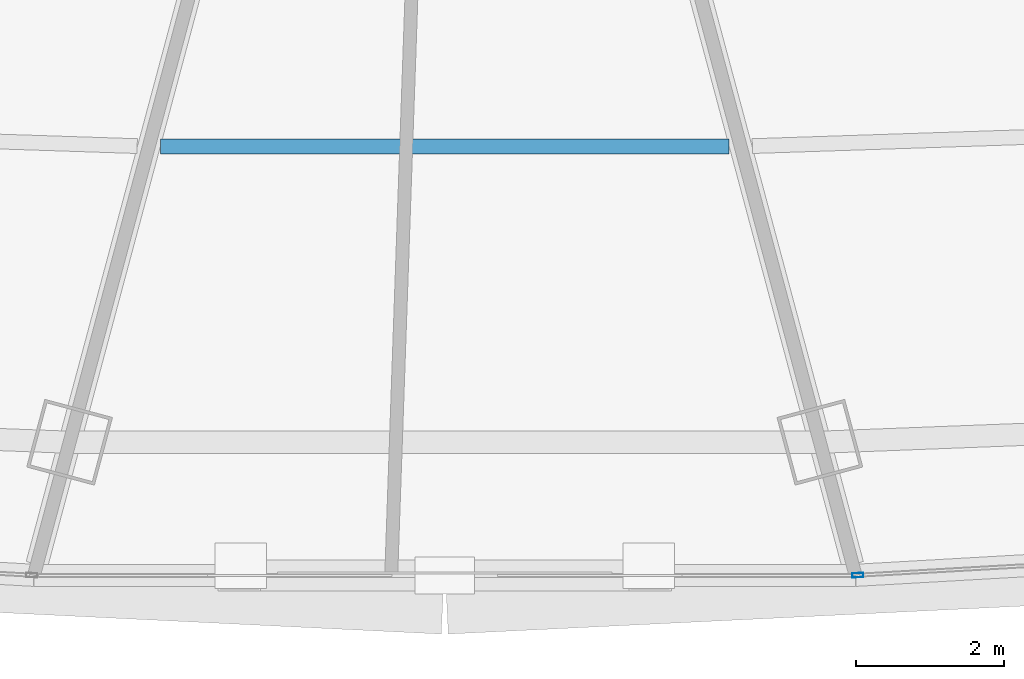
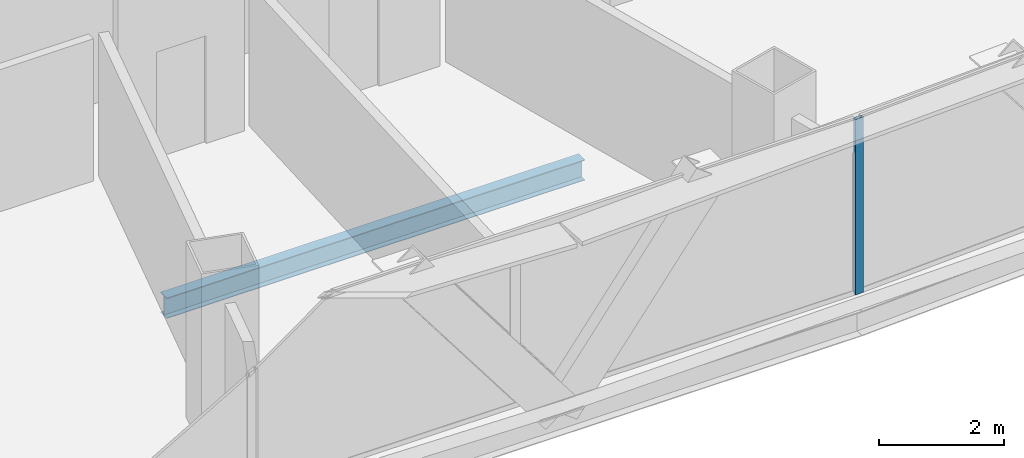
# One storey, part 12 of 42: 1 beam, 1 member, 1 element without a shape of its own.
"""IFC4 building model written with IfcOpenShell, lengths in metres."""

from ifc_helpers import new_model, si_unit, direction, frame, origin, origin_2d, place, context, subcontext, project, spatial, hollow_rectangle, i_section, extrude, source, transform, mapped, material, layer, layer_set, material_profile, profile_set, type_object, element, aggregate, save


model = new_model("IFC4")

# Units and contexts
model_context = context("Model", 3, precision=1e-05, world=origin(), true_north=direction((0.0, 1.0)))
body_context = subcontext(model_context, "Body", "Model", "MODEL_VIEW")
ifc_project = project(units=[si_unit("LENGTHUNIT", "METRE"), si_unit("AREAUNIT", "SQUARE_METRE"), si_unit("VOLUMEUNIT", "CUBIC_METRE"), si_unit("PLANEANGLEUNIT", "RADIAN"), si_unit("MASSUNIT", "GRAM", prefix="KILO"), si_unit("THERMODYNAMICTEMPERATUREUNIT", "KELVIN"), si_unit("POWERUNIT", "WATT")], contexts=[model_context])

# Site, building, storey
site_placement = place(None, origin())
site = spatial("IfcSite", under=ifc_project, at=site_placement, CompositionType="ELEMENT")
building_placement = place(site_placement, origin())
building = spatial("IfcBuilding", under=site, at=building_placement, Name="Yunzhuo Pagoda Commons", CompositionType="ELEMENT")
storey_placement = place(building_placement, frame((0.0, 0.0, 137.18994140625)))
storey = spatial("IfcBuildingStorey", under=building, at=storey_placement, Name="L34", CompositionType="ELEMENT", Elevation=137.18994140625)

# Beam
ifc_material_1 = material(Name="Structural steel Q355B", Category="steel")
ifc_material_profile_1 = material_profile(ifc_material_1, i_section(OverallWidth=0.199951171875, OverallDepth=0.39990234375, WebThickness=0.008056640625, FlangeThickness=0.012939453125, at=origin_2d()), Name="Structural steel Q355B")
ifc_profile_set_1 = profile_set([ifc_material_profile_1], Name="Structural steel Q355B")
beam_type = type_object("IfcBeamType", Name="B-JS1 Joist HN 400x200x8x13", PredefinedType="JOIST", material=ifc_profile_set_1)
shared_shape_1 = source(origin(), body_context, "Body", "SweptSolid", [
    extrude(i_section(OverallWidth=0.199951171875, OverallDepth=0.39990234375, WebThickness=0.008056640625, FlangeThickness=0.012939453125, at=origin_2d()), origin(), (0.0, 0.0, 1.0), 7.7041015625),
])
beam_placement = place(storey_placement, frame((44.14794921875, 18.730712890625, -0.459716796875), z_axis=(1.0, 0.0, 0.0), x_axis=(0.0, 1.0, 0.0)))
element("IfcBeam", 1, at=beam_placement, inside=storey, type_object=beam_type, Name="L34 composite ring joist 2.2", PredefinedType="JOIST", context=body_context, shape_type="MappedRepresentation", body=[
    mapped(shared_shape_1, transform((0.0, 0.0, 0.0), scale=1.0)),
])

# Curtain wall, member
ifc_material_2 = material(Name="Anodized aluminium 6063-T6", Category="aluminium")
ifc_layer = layer(ifc_material_2, 0.14990234375)
ifc_layer_set = layer_set([ifc_layer], Name="Anodized aluminium 6063-T6")
curtain_wall_type = type_object("IfcCurtainWallType", Name="CW-MID Mid-Zone Ribbon Curtain Wall", PredefinedType="NOTDEFINED", material=ifc_layer_set)
curtain_wall_placement = place(storey_placement, origin())
curtain_wall = element("IfcCurtainWall", 2, at=curtain_wall_placement, inside=storey, type_object=curtain_wall_type, Name="L34 curtain wall CW-L34-F1B4", PredefinedType="NOTDEFINED")
ifc_material_profile_2 = material_profile(ifc_material_2, hollow_rectangle(XDim=0.06005859375, YDim=0.14990234375, WallThickness=0.00390625, at=origin_2d()), Name="Anodized aluminium 6063-T6")
ifc_profile_set_2 = profile_set([ifc_material_profile_2], Name="Anodized aluminium 6063-T6")
member_type = type_object("IfcMemberType", Name="CW-MID-M Mullion RHS 150x60x4", PredefinedType="MULLION", material=ifc_profile_set_2)
shared_shape_2 = source(origin(), body_context, "Body", "SweptSolid", [
    extrude(hollow_rectangle(XDim=0.06005859375, YDim=0.14990234375, WallThickness=0.00390625, at=origin_2d()), origin(), (0.0, 0.0, 1.0), 3.420166015625),
])
member_placement = place(storey_placement, frame((53.5986328125, 12.91943359375, 0.0), z_axis=(0.0, 0.0, 1.0), x_axis=(-0.056741862165, 0.99838888269, 0.0)))
member = element("IfcMember", 3, at=member_placement, type_object=member_type, Name="CW mullion 1", PredefinedType="MULLION", context=body_context, shape_type="MappedRepresentation", body=[
    mapped(shared_shape_2, transform((0.0, 0.0, 0.0), scale=1.0)),
])
aggregate(curtain_wall, [member])

save(model, "model.ifc")
